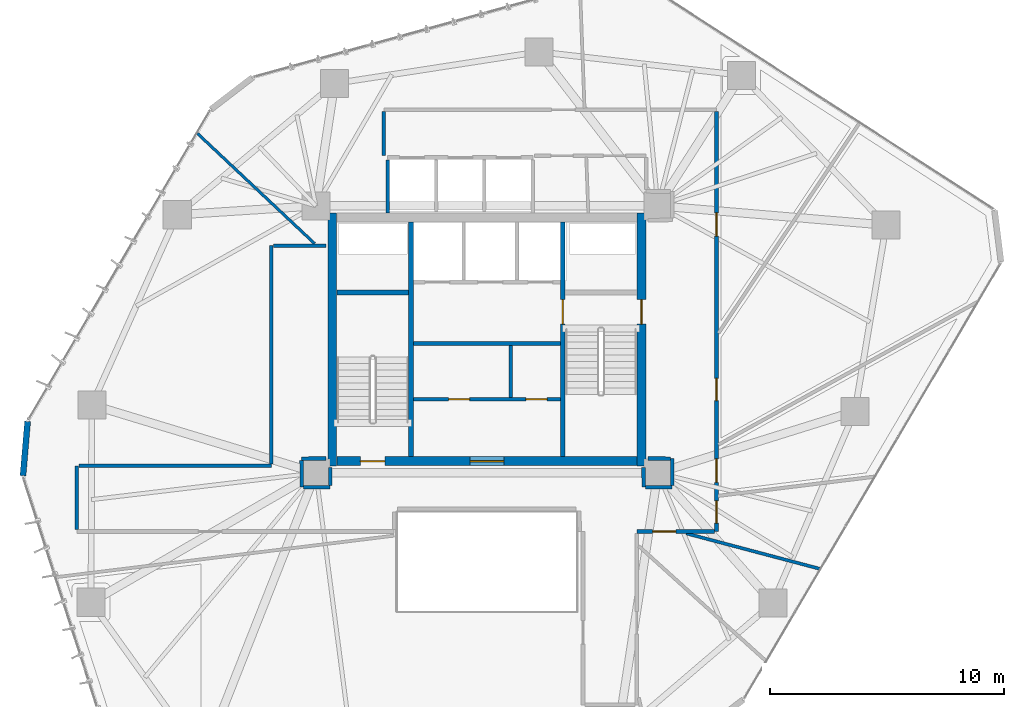
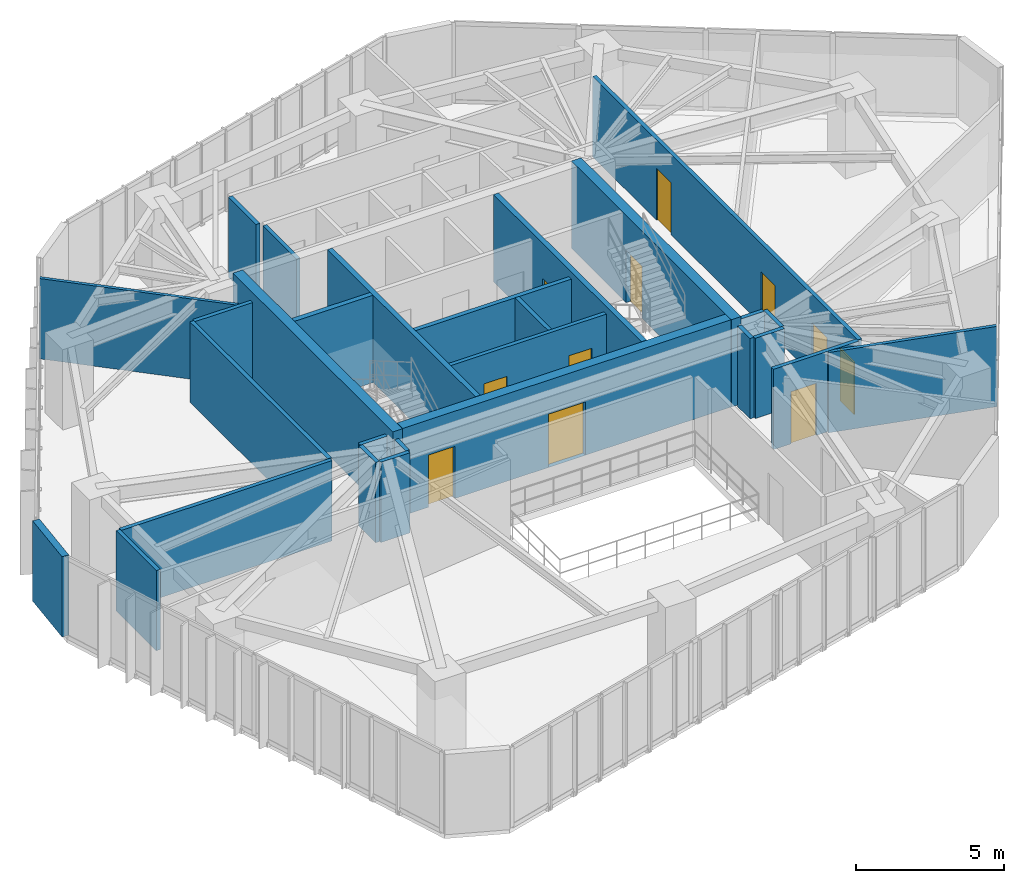
# One storey, part 16 of 20: 28 walls, 11 doors, 11 openings.
"""IFC4 building model written with IfcOpenShell, lengths in metres."""

from ifc_helpers import new_model, si_unit, direction, frame, frame_2d, origin, place, context, subcontext, project, spatial, rectangle, extrude, source, transform, mapped, material, layer, layer_set, type_object, type_shapes, element, fill, save


model = new_model("IFC4")

# Units and contexts
model_context = context("Model", 3, precision=1e-05, world=origin(), true_north=direction((0.0, 1.0)))
body_context = subcontext(model_context, "Body", "Model", "MODEL_VIEW")
ifc_project = project(units=[si_unit("LENGTHUNIT", "METRE"), si_unit("AREAUNIT", "SQUARE_METRE"), si_unit("VOLUMEUNIT", "CUBIC_METRE"), si_unit("PLANEANGLEUNIT", "RADIAN"), si_unit("MASSUNIT", "GRAM", prefix="KILO")], contexts=[model_context])

# Site, building, storey
site_placement = place(None, origin())
site = spatial("IfcSite", under=ifc_project, at=site_placement, CompositionType="ELEMENT")
building_placement = place(site_placement, origin())
building = spatial("IfcBuilding", under=site, at=building_placement, Name="Talar Marvaseh", CompositionType="ELEMENT")
storey_placement = place(building_placement, frame((0.0, 0.0, 136.199951171875)))
storey = spatial("IfcBuildingStorey", under=building, at=storey_placement, Name="L35", CompositionType="ELEMENT", Elevation=136.199951171875)

# Wall
ifc_material_1 = material(Name="Precast concrete C45/55", Category="concrete")
ifc_layer_1 = layer(ifc_material_1, 0.2548828125)
ifc_layer_set_1 = layer_set([ifc_layer_1], Name="Precast concrete C45/55")
wall_type_1 = type_object("IfcWallType", Name="Chamfered Hexagonal Corner Pier Wall Z2 255", PredefinedType="SOLIDWALL", material=ifc_layer_set_1)
wall_1_placement = place(storey_placement, frame((6.19677734375, 25.370849609375, 0.0), z_axis=(0.0, 0.0, 1.0), x_axis=(0.085004725916, 0.99638054807, 0.0)))
element("IfcWall", 1, at=wall_1_placement, inside=storey, type_object=wall_type_1, Name="L35 Chamfered Corner Limestone Pier 2", PredefinedType="SOLIDWALL", context=body_context, shape_type="SweptSolid", body=[
    extrude(rectangle(XDim=2.3408203125, YDim=0.2548828125, at=frame_2d((1.17041015625, 0.0))), origin(), (0.0, 0.0, 1.0), 3.31005859375),
])

# Wall, openings, doors
ifc_material_2 = material(Name="Gypsum Board Partition Assembly")
ifc_layer_2 = layer(ifc_material_2, 0.155029296875)
ifc_layer_set_2 = layer_set([ifc_layer_2], Name="Gypsum Board Partition Assembly")
wall_type_2 = type_object("IfcWallType", Name="Corridor Fire-Rated Acoustic Partition 155", PredefinedType="PARTITIONING", material=ifc_layer_set_2)
wall_2_placement = place(storey_placement, frame((22.865966796875, 28.639892578125, 0.0), z_axis=(0.0, 0.0, 1.0), x_axis=(1.0, 0.0, 0.0)))
wall_2 = element("IfcWall", 2, at=wall_2_placement, inside=storey, type_object=wall_type_2, Name="L35 Core BOH Partition", PredefinedType="PARTITIONING", context=body_context, shape_type="SweptSolid", body=[
    extrude(rectangle(XDim=6.26806640625, YDim=0.155029296875, at=frame_2d((3.134033203125, 0.0))), origin(), (0.0, 0.0, 1.0), 3.31005859375),
])
opening_1_placement = place(wall_2_placement, frame((1.5, 0.0, 0.0)))
opening_1 = element("IfcOpeningElement", 3, at=opening_1_placement, cuts=wall_2, Name="Opening DR-BOH090", PredefinedType="OPENING", context=body_context, shape_type="SweptSolid", body=[
    extrude(rectangle(XDim=0.89990234375, YDim=2.10009765625, at=frame_2d((0.449951171875, 1.050048828125))), frame((0.0, 0.08740234375, 0.0), z_axis=(0.0, -1.0, 0.0), x_axis=(1.0, 0.0, 0.0)), (0.0, 0.0, 1.0), 0.175048828125),
])
opening_2_placement = place(wall_2_placement, frame((4.800048828125, 0.0, 0.0)))
opening_2 = element("IfcOpeningElement", 4, at=opening_2_placement, cuts=wall_2, Name="Opening DR-BOH090", PredefinedType="OPENING", context=body_context, shape_type="SweptSolid", body=[
    extrude(rectangle(XDim=0.89990234375, YDim=2.10009765625, at=frame_2d((0.449951171875, 1.050048828125))), frame((0.0, 0.08740234375, 0.0), z_axis=(0.0, -1.0, 0.0), x_axis=(1.0, 0.0, 0.0)), (0.0, 0.0, 1.0), 0.175048828125),
])
ifc_material_3 = material(Name="Fire-Rated Steel Door Leaf", Category="steel")
door_type_1 = type_object("IfcDoorType", Name="Core Back-of-House Service Door 900x2100", OperationType="NOTDEFINED", PredefinedType="DOOR", material=ifc_material_3)
shared_shape_1 = source(origin(), body_context, "Body", "SweptSolid", [
    extrude(rectangle(XDim=0.89990234375, YDim=2.10009765625, at=frame_2d((0.449951171875, 1.050048828125))), frame((0.0, 0.02490234375, 0.0), z_axis=(0.0, -1.0, 0.0), x_axis=(1.0, 0.0, 0.0)), (0.0, 0.0, 1.0), 0.050048828125),
])
type_shapes(door_type_1, [shared_shape_1])
door_1_placement = place(opening_1_placement, origin())
door_1 = element("IfcDoor", 5, at=door_1_placement, inside=storey, type_object=door_type_1, Name="L35 Plant Core Comms Switch Room Door", OperationType="SINGLE_SWING_LEFT", OverallHeight=2.10009765625, OverallWidth=0.89990234375, PredefinedType="DOOR", context=body_context, shape_type="MappedRepresentation", body=[
    mapped(shared_shape_1, transform((0.0, 0.0, 0.0), x_axis=(1.0, 0.0, 0.0), y_axis=(0.0, 1.0, 0.0), z_axis=(0.0, 0.0, 1.0), scale=1.0)),
])
fill(opening_1, door_1)
door_2_placement = place(opening_2_placement, origin())
door_2 = element("IfcDoor", 6, at=door_2_placement, inside=storey, type_object=door_type_1, Name="L35 Cleaner Cupboard Door", OperationType="SINGLE_SWING_RIGHT", OverallHeight=2.10009765625, OverallWidth=0.89990234375, PredefinedType="DOOR", context=body_context, shape_type="MappedRepresentation", body=[
    mapped(shared_shape_1, transform((0.0, 0.0, 0.0), x_axis=(1.0, 0.0, 0.0), y_axis=(0.0, 1.0, 0.0), z_axis=(0.0, 0.0, 1.0), scale=1.0)),
])
fill(opening_2, door_2)

# Wall
wall_3_placement = place(storey_placement, frame((27.02001953125, 28.719970703125, 0.0), z_axis=(0.0, 0.0, 1.0), x_axis=(0.0, 1.0, 0.0)))
element("IfcWall", 7, at=wall_3_placement, inside=storey, type_object=wall_type_2, Name="L35 Core BOH Partition", PredefinedType="PARTITIONING", context=body_context, shape_type="SweptSolid", body=[
    extrude(rectangle(XDim=2.219970703125, YDim=0.155029296875, at=frame_2d((1.10986328125, 0.0))), origin(), (0.0, 0.0, 1.0), 3.31005859375),
])

# Wall, openings, doors
wall_4_placement = place(storey_placement, frame((35.800048828125, 40.91650390625, 0.0), z_axis=(0.0, 0.0, 1.0), x_axis=(0.0, -1.0, 0.0)))
wall_4 = element("IfcWall", 8, at=wall_4_placement, inside=storey, type_object=wall_type_2, Name="L35 Interior Partition Wall", PredefinedType="PARTITIONING", context=body_context, shape_type="SweptSolid", body=[
    extrude(rectangle(XDim=17.91650390625, YDim=0.155029296875, at=frame_2d((8.958251953125, 0.0))), origin(), (0.0, 0.0, 1.0), 3.31005859375),
])
opening_3_placement = place(wall_4_placement, frame((16.614013671875, 0.0, 0.0)))
opening_3 = element("IfcOpeningElement", 9, at=opening_3_placement, cuts=wall_4, Name="Opening DR-WC095", PredefinedType="OPENING", context=body_context, shape_type="SweptSolid", body=[
    extrude(rectangle(XDim=0.949951171875, YDim=2.14990234375, at=frame_2d((0.47509765625, 1.074951171875))), frame((0.0, 0.08740234375, 0.0), z_axis=(0.0, -1.0, 0.0), x_axis=(1.0, 0.0, 0.0)), (0.0, 0.0, 1.0), 0.175048828125),
])
opening_4_placement = place(wall_4_placement, frame((14.822021484375, 0.0, 0.0)))
opening_4 = element("IfcOpeningElement", 10, at=opening_4_placement, cuts=wall_4, Name="Opening DR-RM100", PredefinedType="OPENING", context=body_context, shape_type="SweptSolid", body=[
    extrude(rectangle(XDim=1.0, YDim=2.14990234375, at=frame_2d((0.5, 1.074951171875))), frame((0.0, 0.08740234375, 0.0), z_axis=(0.0, -1.0, 0.0), x_axis=(1.0, 0.0, 0.0)), (0.0, 0.0, 1.0), 0.175048828125),
])
opening_5_placement = place(wall_4_placement, frame((11.385986328125, 0.0, 0.0)))
opening_5 = element("IfcOpeningElement", 11, at=opening_5_placement, cuts=wall_4, Name="Opening DR-WC095", PredefinedType="OPENING", context=body_context, shape_type="SweptSolid", body=[
    extrude(rectangle(XDim=0.949951171875, YDim=2.14990234375, at=frame_2d((0.47509765625, 1.074951171875))), frame((0.0, 0.08740234375, 0.0), z_axis=(0.0, -1.0, 0.0), x_axis=(1.0, 0.0, 0.0)), (0.0, 0.0, 1.0), 0.175048828125),
])
opening_6_placement = place(wall_4_placement, frame((4.314208984375, 0.0, 0.0)))
opening_6 = element("IfcOpeningElement", 12, at=opening_6_placement, cuts=wall_4, Name="Opening DR-RM100", PredefinedType="OPENING", context=body_context, shape_type="SweptSolid", body=[
    extrude(rectangle(XDim=1.0, YDim=2.14990234375, at=frame_2d((0.5, 1.074951171875))), frame((0.0, 0.08740234375, 0.0), z_axis=(0.0, -1.0, 0.0), x_axis=(1.0, 0.0, 0.0)), (0.0, 0.0, 1.0), 0.175048828125),
])
ifc_material_4 = material(Name="Acoustic Engineered Oak Timber", Category="wood")
door_type_2 = type_object("IfcDoorType", Name="Washroom and Service Room Door 950x2150", OperationType="NOTDEFINED", PredefinedType="DOOR", material=ifc_material_4)
shared_shape_2 = source(origin(), body_context, "Body", "SweptSolid", [
    extrude(rectangle(XDim=0.949951171875, YDim=2.14990234375, at=frame_2d((0.47509765625, 1.074951171875))), frame((0.0, 0.02490234375, 0.0), z_axis=(0.0, -1.0, 0.0), x_axis=(1.0, 0.0, 0.0)), (0.0, 0.0, 1.0), 0.050048828125),
])
type_shapes(door_type_2, [shared_shape_2])
door_3_placement = place(opening_3_placement, origin())
door_3 = element("IfcDoor", 13, at=door_3_placement, inside=storey, type_object=door_type_2, Name="L35 Collection Conservation Store Door", OperationType="SINGLE_SWING_LEFT", OverallHeight=2.14990234375, OverallWidth=0.949951171875, PredefinedType="DOOR", context=body_context, shape_type="MappedRepresentation", body=[
    mapped(shared_shape_2, transform((0.0, 0.0, 0.0), x_axis=(1.0, 0.0, 0.0), y_axis=(0.0, 1.0, 0.0), z_axis=(0.0, 0.0, 1.0), scale=1.0)),
])
fill(opening_3, door_3)
door_4_placement = place(opening_5_placement, origin())
door_4 = element("IfcDoor", 14, at=door_4_placement, inside=storey, type_object=door_type_2, Name="L35 Manuscript Folio Archive Room Door", OperationType="SINGLE_SWING_LEFT", OverallHeight=2.14990234375, OverallWidth=0.949951171875, PredefinedType="DOOR", context=body_context, shape_type="MappedRepresentation", body=[
    mapped(shared_shape_2, transform((0.0, 0.0, 0.0), x_axis=(1.0, 0.0, 0.0), y_axis=(0.0, 1.0, 0.0), z_axis=(0.0, 0.0, 1.0), scale=1.0)),
])
fill(opening_5, door_4)
door_type_3 = type_object("IfcDoorType", Name="Corridor Fire-Rated Gallery Door 1000x2150", OperationType="NOTDEFINED", PredefinedType="DOOR", material=ifc_material_4)
shared_shape_3 = source(origin(), body_context, "Body", "SweptSolid", [
    extrude(rectangle(XDim=1.0, YDim=2.14990234375, at=frame_2d((0.5, 1.074951171875))), frame((0.0, 0.02490234375, 0.0), z_axis=(0.0, -1.0, 0.0), x_axis=(1.0, 0.0, 0.0)), (0.0, 0.0, 1.0), 0.050048828125),
])
type_shapes(door_type_3, [shared_shape_3])
door_5_placement = place(opening_4_placement, origin())
door_5 = element("IfcDoor", 15, at=door_5_placement, inside=storey, type_object=door_type_3, Name="L35 Cultural Fellowship Office Door", OperationType="SINGLE_SWING_RIGHT", OverallHeight=2.14990234375, OverallWidth=1.0, PredefinedType="DOOR", context=body_context, shape_type="MappedRepresentation", body=[
    mapped(shared_shape_3, transform((0.0, 0.0, 0.0), x_axis=(1.0, 0.0, 0.0), y_axis=(0.0, 1.0, 0.0), z_axis=(0.0, 0.0, 1.0), scale=1.0)),
])
fill(opening_4, door_5)
door_6_placement = place(opening_6_placement, origin())
door_6 = element("IfcDoor", 16, at=door_6_placement, inside=storey, type_object=door_type_3, Name="L35 Conservation Laboratory Door", OperationType="SINGLE_SWING_RIGHT", OverallHeight=2.14990234375, OverallWidth=1.0, PredefinedType="DOOR", context=body_context, shape_type="MappedRepresentation", body=[
    mapped(shared_shape_3, transform((0.0, 0.0, 0.0), x_axis=(1.0, 0.0, 0.0), y_axis=(0.0, 1.0, 0.0), z_axis=(0.0, 0.0, 1.0), scale=1.0)),
])
fill(opening_6, door_6)

# Wall, opening, door
wall_5_placement = place(storey_placement, frame((35.716552734375, 23.0, 0.0), z_axis=(0.0, 0.0, 1.0), x_axis=(-1.0, 0.0, 0.0)))
wall_5 = element("IfcWall", 17, at=wall_5_placement, inside=storey, type_object=wall_type_2, Name="L35 Interior Partition Wall", PredefinedType="PARTITIONING", context=body_context, shape_type="SweptSolid", body=[
    extrude(rectangle(XDim=3.316650390625, YDim=0.155029296875, at=frame_2d((1.658203125, 0.0))), origin(), (0.0, 0.0, 1.0), 3.31005859375),
])
opening_7_placement = place(wall_5_placement, frame((1.64697265625, 0.0, 0.0)))
opening_7 = element("IfcOpeningElement", 18, at=opening_7_placement, cuts=wall_5, Name="Opening DR-RM100", PredefinedType="OPENING", context=body_context, shape_type="SweptSolid", body=[
    extrude(rectangle(XDim=1.0, YDim=2.14990234375, at=frame_2d((0.5, 1.074951171875))), frame((0.0, 0.08740234375, 0.0), z_axis=(0.0, -1.0, 0.0), x_axis=(1.0, 0.0, 0.0)), (0.0, 0.0, 1.0), 0.175048828125),
])
door_7_placement = place(opening_7_placement, origin())
door_7 = element("IfcDoor", 19, at=door_7_placement, inside=storey, type_object=door_type_3, Name="L35 Archival Research Office Door", OperationType="SINGLE_SWING_RIGHT", OverallHeight=2.14990234375, OverallWidth=1.0, PredefinedType="DOOR", context=body_context, shape_type="MappedRepresentation", body=[
    mapped(shared_shape_3, transform((0.0, 0.0, 0.0), x_axis=(1.0, 0.0, 0.0), y_axis=(0.0, 1.0, 0.0), z_axis=(0.0, 0.0, 1.0), scale=1.0)),
])
fill(opening_7, door_7)

# Walls
wall_6_placement = place(storey_placement, frame((8.5, 23.08349609375, 0.0), z_axis=(0.0, 0.0, 1.0), x_axis=(0.0, 1.0, 0.0)))
element("IfcWall", 20, at=wall_6_placement, inside=storey, type_object=wall_type_2, Name="L35 Interior Partition Wall", PredefinedType="PARTITIONING", context=body_context, shape_type="SweptSolid", body=[
    extrude(rectangle(XDim=2.716552734375, YDim=0.155029296875, at=frame_2d((1.3583984375, 0.0))), origin(), (0.0, 0.0, 1.0), 3.31005859375),
])
wall_7_placement = place(storey_placement, frame((8.58349609375, 25.800048828125, 0.0), z_axis=(0.0, 0.0, 1.0), x_axis=(1.0, 0.0, 0.0)))
element("IfcWall", 21, at=wall_7_placement, inside=storey, type_object=wall_type_2, Name="L35 Interior Partition Wall", PredefinedType="PARTITIONING", context=body_context, shape_type="SweptSolid", body=[
    extrude(rectangle(XDim=8.216552734375, YDim=0.155029296875, at=frame_2d((4.1083984375, 0.0))), origin(), (0.0, 0.0, 1.0), 3.31005859375),
])
wall_8_placement = place(storey_placement, frame((16.800048828125, 25.883544921875, 0.0), z_axis=(0.0, 0.0, 1.0), x_axis=(0.0, 1.0, 0.0)))
element("IfcWall", 22, at=wall_8_placement, inside=storey, type_object=wall_type_2, Name="L35 Interior Partition Wall", PredefinedType="PARTITIONING", context=body_context, shape_type="SweptSolid", body=[
    extrude(rectangle(XDim=9.31640625, YDim=0.155029296875, at=frame_2d((4.658203125, 0.0))), origin(), (0.0, 0.0, 1.0), 3.31005859375),
])
wall_9_placement = place(storey_placement, frame((16.883544921875, 35.199951171875, 0.0), z_axis=(0.0, 0.0, 1.0), x_axis=(1.0, 0.0, 0.0)))
element("IfcWall", 23, at=wall_9_placement, inside=storey, type_object=wall_type_2, Name="L35 Interior Partition Wall", PredefinedType="PARTITIONING", context=body_context, shape_type="SweptSolid", body=[
    extrude(rectangle(XDim=2.246337890625, YDim=0.155029296875, at=frame_2d((1.123046875, 0.0))), origin(), (0.0, 0.0, 1.0), 3.31005859375),
])
wall_10_placement = place(storey_placement, frame((19.1298828125, 26.114990234375, 0.0), z_axis=(0.0, 0.0, 1.0), x_axis=(-0.999986702653, -0.005156987215, 0.0)))
element("IfcWall", 24, at=wall_10_placement, inside=storey, type_object=wall_type_2, Name="L35 Interior Partition Wall", PredefinedType="PARTITIONING", context=body_context, shape_type="SweptSolid", body=[
    extrude(rectangle(XDim=1.04150390625, YDim=0.155029296875, at=frame_2d((0.520751953125, 0.0))), origin(), (0.0, 0.0, 1.0), 3.31005859375),
])
wall_11_placement = place(storey_placement, frame((18.088623046875, 26.02587890625, 0.0), z_axis=(0.0, 0.0, 1.0), x_axis=(0.002787893948, -0.999996113816, 0.0)))
element("IfcWall", 25, at=wall_11_placement, inside=storey, type_object=wall_type_2, Name="L35 Interior Partition Wall", PredefinedType="PARTITIONING", context=body_context, shape_type="SweptSolid", body=[
    extrude(rectangle(XDim=1.138427734375, YDim=0.155029296875, at=frame_2d((0.5693359375, 0.0))), origin(), (0.0, 0.0, 1.0), 3.31005859375),
])
wall_12_placement = place(storey_placement, frame((18.17529296875, 24.8876953125, 0.0), z_axis=(0.0, 0.0, 1.0), x_axis=(0.999999791525, 0.000645716611, 0.0)))
element("IfcWall", 26, at=wall_12_placement, inside=storey, type_object=wall_type_2, Name="L35 Interior Partition Wall", PredefinedType="PARTITIONING", context=body_context, shape_type="SweptSolid", body=[
    extrude(rectangle(XDim=1.13427734375, YDim=0.155029296875, at=frame_2d((0.567138671875, 0.0))), origin(), (0.0, 0.0, 1.0), 3.31005859375),
])
wall_13_placement = place(storey_placement, frame((19.31005859375, 24.971923828125, 0.0), z_axis=(0.0, 0.0, 1.0), x_axis=(0.006441090216, 0.999979255963, 0.0)))
element("IfcWall", 27, at=wall_13_placement, inside=storey, type_object=wall_type_2, Name="L35 Interior Partition Wall", PredefinedType="PARTITIONING", context=body_context, shape_type="SweptSolid", body=[
    extrude(rectangle(XDim=0.758056640625, YDim=0.155029296875, at=frame_2d((0.37890625, 0.0))), origin(), (0.0, 0.0, 1.0), 3.31005859375),
])
wall_14_placement = place(storey_placement, frame((32.68505859375, 25.72998046875, 0.0), z_axis=(0.0, 0.0, 1.0), x_axis=(0.006382231486, -0.999979633353, 0.0)))
element("IfcWall", 28, at=wall_14_placement, inside=storey, type_object=wall_type_2, Name="L35 Interior Partition Wall", PredefinedType="PARTITIONING", context=body_context, shape_type="SweptSolid", body=[
    extrude(rectangle(XDim=0.841552734375, YDim=0.155029296875, at=frame_2d((0.4208984375, 0.0))), origin(), (0.0, 0.0, 1.0), 3.31005859375),
])
wall_15_placement = place(storey_placement, frame((32.77392578125, 24.88818359375, 0.0), z_axis=(0.0, 0.0, 1.0), x_axis=(0.999999164303, -0.001292823742, 0.0)))
element("IfcWall", 29, at=wall_15_placement, inside=storey, type_object=wall_type_2, Name="L35 Interior Partition Wall", PredefinedType="PARTITIONING", context=body_context, shape_type="SweptSolid", body=[
    extrude(rectangle(XDim=1.133056640625, YDim=0.155029296875, at=frame_2d((0.56640625, 0.0))), origin(), (0.0, 0.0, 1.0), 3.31005859375),
])
wall_16_placement = place(storey_placement, frame((33.907470703125, 24.97021484375, 0.0), z_axis=(0.0, 0.0, 1.0), x_axis=(0.003642572792, 0.99999336581, 0.0)))
element("IfcWall", 30, at=wall_16_placement, inside=storey, type_object=wall_type_2, Name="L35 Interior Partition Wall", PredefinedType="PARTITIONING", context=body_context, shape_type="SweptSolid", body=[
    extrude(rectangle(XDim=1.139404296875, YDim=0.155029296875, at=frame_2d((0.56982421875, 0.0))), origin(), (0.0, 0.0, 1.0), 3.31005859375),
])
wall_17_placement = place(storey_placement, frame((33.828125, 26.110107421875, 0.0), z_axis=(0.0, 0.0, 1.0), x_axis=(-0.999987011364, 0.005096773758, 0.0)))
element("IfcWall", 31, at=wall_17_placement, inside=storey, type_object=wall_type_2, Name="L35 Interior Partition Wall", PredefinedType="PARTITIONING", context=body_context, shape_type="SweptSolid", body=[
    extrude(rectangle(XDim=0.9580078125, YDim=0.155029296875, at=frame_2d((0.47900390625, 0.0))), origin(), (0.0, 0.0, 1.0), 3.31005859375),
])
wall_18_placement = place(storey_placement, frame((21.60009765625, 39.0400390625, 0.0), z_axis=(0.0, 0.0, 1.0), x_axis=(0.0, 1.0, 0.0)))
element("IfcWall", 32, at=wall_18_placement, inside=storey, type_object=wall_type_2, Name="L35 Interior Partition Wall", PredefinedType="PARTITIONING", context=body_context, shape_type="SweptSolid", body=[
    extrude(rectangle(XDim=1.87646484375, YDim=0.155029296875, at=frame_2d((0.938232421875, 0.0))), origin(), (0.0, 0.0, 1.0), 3.31005859375),
])
ifc_layer_3 = layer(ifc_material_2, 0.1201171875)
ifc_layer_set_3 = layer_set([ifc_layer_3], Name="Gypsum Board Partition Assembly")
wall_type_3 = type_object("IfcWallType", Name="Demountable Studio Room Partition 120", PredefinedType="PARTITIONING", material=ifc_layer_set_3)
wall_19_placement = place(storey_placement, frame((18.651123046875, 35.283447265625, 0.0), z_axis=(0.0, 0.0, 1.0), x_axis=(-0.728749857539, 0.684779997617, 0.0)))
element("IfcWall", 33, at=wall_19_placement, inside=storey, type_object=wall_type_3, Name="L35 Interior Partition Wall", PredefinedType="PARTITIONING", context=body_context, shape_type="SweptSolid", body=[
    extrude(rectangle(XDim=6.87939453125, YDim=0.1201171875, at=frame_2d((3.439697265625, 0.0))), origin(), (0.0, 0.0, 1.0), 3.31005859375),
])
ifc_layer_4 = layer(ifc_material_1, 0.14501953125)
ifc_layer_set_4 = layer_set([ifc_layer_4], Name="Precast concrete C45/55")
wall_type_4 = type_object("IfcWallType", Name="Fire-Rated Lift Divider Wall 145", PredefinedType="SOLIDWALL", material=ifc_layer_set_4)
wall_20_placement = place(storey_placement, frame((21.760009765625, 36.60009765625, 0.0), z_axis=(0.0, 0.0, 1.0), x_axis=(0.0, 1.0, 0.0)))
element("IfcWall", 34, at=wall_20_placement, inside=storey, type_object=wall_type_4, Name="L35 Low-Rise Bank West Wall", PredefinedType="SOLIDWALL", context=body_context, shape_type="SweptSolid", body=[
    extrude(rectangle(XDim=2.266357421875, YDim=0.14501953125, at=frame_2d((1.13330078125, 0.0))), origin(), (0.0, 0.0, 1.0), 3.31005859375),
])
ifc_layer_5 = layer(ifc_material_1, 0.175048828125)
ifc_layer_set_5 = layer_set([ifc_layer_5], Name="Precast concrete C45/55")
wall_type_5 = type_object("IfcWallType", Name="Fire-Rated Lift Hoistway Enclosure Wall 175", PredefinedType="SOLIDWALL", material=ifc_layer_set_5)
wall_21_placement = place(storey_placement, frame((22.860107421875, 31.02001953125, 0.0), z_axis=(0.0, 0.0, 1.0), x_axis=(1.0, 0.0, 0.0)))
element("IfcWall", 35, at=wall_21_placement, inside=storey, type_object=wall_type_5, Name="L35 Firefighting Lobby South Smoke Wall", PredefinedType="SOLIDWALL", context=body_context, shape_type="SweptSolid", body=[
    extrude(rectangle(XDim=6.27978515625, YDim=0.175048828125, at=frame_2d((3.139892578125, 0.0))), origin(), (0.0, 0.0, 1.0), 3.31005859375),
])
ifc_layer_6 = layer(ifc_material_2, 0.135009765625)
ifc_layer_set_6 = layer_set([ifc_layer_6], Name="Gypsum Board Partition Assembly")
wall_type_6 = type_object("IfcWallType", Name="Gallery High-Acoustic Partition 135", PredefinedType="PARTITIONING", material=ifc_layer_set_6)
wall_22_placement = place(storey_placement, frame((34.50537109375, 22.91650390625, 0.0), z_axis=(0.0, 0.0, 1.0), x_axis=(0.966638443687, -0.256144723128, 0.0)))
element("IfcWall", 36, at=wall_22_placement, inside=storey, type_object=wall_type_6, Name="L35 Interior Partition Wall", PredefinedType="PARTITIONING", context=body_context, shape_type="SweptSolid", body=[
    extrude(rectangle(XDim=5.907470703125, YDim=0.135009765625, at=frame_2d((2.95361328125, 0.0))), origin(), (0.0, 0.0, 1.0), 3.31005859375),
])
ifc_material_5 = material(Name="Concrete C60/75", Category="concrete")
ifc_layer_7 = layer(ifc_material_5, 0.3798828125)
ifc_layer_set_7 = layer_set([ifc_layer_7], Name="Concrete C60/75")
wall_type_7 = type_object("IfcWallType", Name="Mid Core Reinforced Concrete Shear Wall 380", PredefinedType="SHEAR", material=ifc_layer_set_7)
wall_23_placement = place(storey_placement, frame((19.39990234375, 25.800048828125, 0.0), z_axis=(0.0, 0.0, 1.0), x_axis=(0.0, 1.0, 0.0)))
element("IfcWall", 37, at=wall_23_placement, inside=storey, type_object=wall_type_7, Name="L35 West Core Shear Wall", PredefinedType="SHEAR", context=body_context, shape_type="SweptSolid", body=[
    extrude(rectangle(XDim=10.800048828125, YDim=0.3798828125, at=frame_2d((5.39990234375, 0.0))), origin(), (0.0, 0.0, 1.0), 3.60009765625),
])

# Wall, opening, door
wall_24_placement = place(storey_placement, frame((32.60009765625, 36.60009765625, 0.0), z_axis=(0.0, 0.0, 1.0), x_axis=(0.0, -1.0, 0.0)))
wall_24 = element("IfcWall", 38, at=wall_24_placement, inside=storey, type_object=wall_type_7, Name="L35 East Core Shear Wall", PredefinedType="SHEAR", context=body_context, shape_type="SweptSolid", body=[
    extrude(rectangle(XDim=10.800048828125, YDim=0.3798828125, at=frame_2d((5.39990234375, 0.0))), origin(), (0.0, 0.0, 1.0), 3.60009765625),
])
opening_8_placement = place(wall_24_placement, frame((3.699951171875, 0.0, 0.0)))
opening_8 = element("IfcOpeningElement", 39, at=opening_8_placement, cuts=wall_24, Name="Opening DR-ST105", PredefinedType="OPENING", context=body_context, shape_type="SweptSolid", body=[
    extrude(rectangle(XDim=1.050048828125, YDim=2.14990234375, at=frame_2d((0.52490234375, 1.074951171875))), frame((0.0, 0.199951171875, 0.0), z_axis=(0.0, -1.0, 0.0), x_axis=(1.0, 0.0, 0.0)), (0.0, 0.0, 1.0), 0.39990234375),
])
door_type_4 = type_object("IfcDoorType", Name="Protected Exit Stair Fire Door 1050x2150", OperationType="NOTDEFINED", PredefinedType="DOOR", material=ifc_material_3)
shared_shape_4 = source(origin(), body_context, "Body", "SweptSolid", [
    extrude(rectangle(XDim=1.050048828125, YDim=2.14990234375, at=frame_2d((0.52490234375, 1.074951171875))), frame((0.0, 0.02490234375, 0.0), z_axis=(0.0, -1.0, 0.0), x_axis=(1.0, 0.0, 0.0)), (0.0, 0.0, 1.0), 0.050048828125),
])
type_shapes(door_type_4, [shared_shape_4])
door_8_placement = place(opening_8_placement, origin())
door_8 = element("IfcDoor", 40, at=door_8_placement, inside=storey, type_object=door_type_4, Name="L35 Stair ST-2 Corridor Exit Door", OperationType="SINGLE_SWING_LEFT", OverallHeight=2.14990234375, OverallWidth=1.050048828125, PredefinedType="DOOR", context=body_context, shape_type="MappedRepresentation", body=[
    mapped(shared_shape_4, transform((0.0, 0.0, 0.0), x_axis=(1.0, 0.0, 0.0), y_axis=(0.0, 1.0, 0.0), z_axis=(0.0, 0.0, 1.0), scale=1.0)),
])
fill(opening_8, door_8)

# Wall, openings, doors
wall_25_placement = place(storey_placement, frame((32.39990234375, 26.0, 0.0), z_axis=(0.0, 0.0, 1.0), x_axis=(-1.0, 0.0, 0.0)))
wall_25 = element("IfcWall", 41, at=wall_25_placement, inside=storey, type_object=wall_type_7, Name="L35 South Core Shear Wall", PredefinedType="SHEAR", context=body_context, shape_type="SweptSolid", body=[
    extrude(rectangle(XDim=12.7998046875, YDim=0.3798828125, at=frame_2d((6.39990234375, 0.0))), origin(), (0.0, 0.0, 1.0), 3.60009765625),
])
opening_9_placement = place(wall_25_placement, frame((10.75, 0.0, 0.0)))
opening_9 = element("IfcOpeningElement", 42, at=opening_9_placement, cuts=wall_25, Name="Opening DR-ST105", PredefinedType="OPENING", context=body_context, shape_type="SweptSolid", body=[
    extrude(rectangle(XDim=1.050048828125, YDim=2.14990234375, at=frame_2d((0.52490234375, 1.074951171875))), frame((0.0, 0.199951171875, 0.0), z_axis=(0.0, -1.0, 0.0), x_axis=(1.0, 0.0, 0.0)), (0.0, 0.0, 1.0), 0.39990234375),
])
opening_10_placement = place(wall_25_placement, frame((5.669921875, 0.0, 0.0)))
opening_10 = element("IfcOpeningElement", 43, at=opening_10_placement, cuts=wall_25, Name="Opening DR-LBY145", PredefinedType="OPENING", context=body_context, shape_type="SweptSolid", body=[
    extrude(rectangle(XDim=1.449951171875, YDim=2.199951171875, at=frame_2d((0.72509765625, 1.10009765625))), frame((0.0, 0.199951171875, 0.0), z_axis=(0.0, -1.0, 0.0), x_axis=(1.0, 0.0, 0.0)), (0.0, 0.0, 1.0), 0.39990234375),
])
door_9_placement = place(opening_9_placement, origin())
door_9 = element("IfcDoor", 44, at=door_9_placement, inside=storey, type_object=door_type_4, Name="L35 Stair ST-1 Exit Door", OperationType="SINGLE_SWING_RIGHT", OverallHeight=2.14990234375, OverallWidth=1.050048828125, PredefinedType="DOOR", context=body_context, shape_type="MappedRepresentation", body=[
    mapped(shared_shape_4, transform((0.0, 0.0, 0.0), x_axis=(1.0, 0.0, 0.0), y_axis=(0.0, 1.0, 0.0), z_axis=(0.0, 0.0, 1.0), scale=1.0)),
])
fill(opening_9, door_9)
door_type_5 = type_object("IfcDoorType", Name="Core Lift Lobby Double Smoke Door 1450x2200", OperationType="NOTDEFINED", PredefinedType="DOOR", material=ifc_material_3)
shared_shape_5 = source(origin(), body_context, "Body", "SweptSolid", [
    extrude(rectangle(XDim=1.449951171875, YDim=2.199951171875, at=frame_2d((0.72509765625, 1.10009765625))), frame((0.0, 0.02490234375, 0.0), z_axis=(0.0, -1.0, 0.0), x_axis=(1.0, 0.0, 0.0)), (0.0, 0.0, 1.0), 0.050048828125),
])
type_shapes(door_type_5, [shared_shape_5])
door_10_placement = place(opening_10_placement, origin())
door_10 = element("IfcDoor", 45, at=door_10_placement, inside=storey, type_object=door_type_5, Name="L35 Passenger Lift Lobby Entrance Door", OperationType="DOUBLE_DOOR_SINGLE_SWING", OverallHeight=2.199951171875, OverallWidth=1.449951171875, PredefinedType="DOOR", context=body_context, shape_type="MappedRepresentation", body=[
    mapped(shared_shape_5, transform((0.0, 0.0, 0.0), x_axis=(1.0, 0.0, 0.0), y_axis=(0.0, 1.0, 0.0), z_axis=(0.0, 0.0, 1.0), scale=1.0)),
])
fill(opening_10, door_10)

# Wall
ifc_material_6 = material(Name="Concrete C50/60", Category="concrete")
ifc_layer_8 = layer(ifc_material_6, 0.199951171875)
ifc_layer_set_8 = layer_set([ifc_layer_8], Name="Concrete C50/60")
wall_type_8 = type_object("IfcWallType", Name="Stair Shaft Structural Concrete Shear Wall 200", PredefinedType="SHEAR", material=ifc_layer_set_8)
wall_26_placement = place(storey_placement, frame((22.760009765625, 26.199951171875, 0.0), z_axis=(0.0, 0.0, 1.0), x_axis=(0.0, 1.0, 0.0)))
element("IfcWall", 46, at=wall_26_placement, inside=storey, type_object=wall_type_8, Name="L35 Core West Stair Shear Wall", PredefinedType="SHEAR", context=body_context, shape_type="SweptSolid", body=[
    extrude(rectangle(XDim=10.0, YDim=0.199951171875, at=frame_2d((5.0, 0.0))), origin(), (0.0, 0.0, 1.0), 3.60009765625),
])

# Wall, opening, door
wall_27_placement = place(storey_placement, frame((29.239990234375, 26.199951171875, 0.0), z_axis=(0.0, 0.0, 1.0), x_axis=(0.0, 1.0, 0.0)))
wall_27 = element("IfcWall", 47, at=wall_27_placement, inside=storey, type_object=wall_type_8, Name="L35 Core East Stair Shear Wall", PredefinedType="SHEAR", context=body_context, shape_type="SweptSolid", body=[
    extrude(rectangle(XDim=10.0, YDim=0.199951171875, at=frame_2d((5.0, 0.0))), origin(), (0.0, 0.0, 1.0), 3.60009765625),
])
opening_11_placement = place(wall_27_placement, frame((5.64990234375, 0.0, 0.0)))
opening_11 = element("IfcOpeningElement", 48, at=opening_11_placement, cuts=wall_27, Name="Opening DR-ST105", PredefinedType="OPENING", context=body_context, shape_type="SweptSolid", body=[
    extrude(rectangle(XDim=1.050048828125, YDim=2.14990234375, at=frame_2d((0.52490234375, 1.074951171875))), frame((0.0, 0.10986328125, 0.0), z_axis=(0.0, -1.0, 0.0), x_axis=(1.0, 0.0, 0.0)), (0.0, 0.0, 1.0), 0.219970703125),
])
door_11_placement = place(opening_11_placement, origin())
door_11 = element("IfcDoor", 49, at=door_11_placement, inside=storey, type_object=door_type_4, Name="L35 Firefighting Lobby to Stair ST-2 Door", OperationType="SINGLE_SWING_LEFT", OverallHeight=2.14990234375, OverallWidth=1.050048828125, PredefinedType="DOOR", context=body_context, shape_type="MappedRepresentation", body=[
    mapped(shared_shape_4, transform((0.0, 0.0, 0.0), x_axis=(1.0, 0.0, 0.0), y_axis=(0.0, 1.0, 0.0), z_axis=(0.0, 0.0, 1.0), scale=1.0)),
])
fill(opening_11, door_11)

# Wall
wall_28_placement = place(storey_placement, frame((19.60009765625, 33.199951171875, 0.0), z_axis=(0.0, 0.0, 1.0), x_axis=(1.0, 0.0, 0.0)))
element("IfcWall", 50, at=wall_28_placement, inside=storey, type_object=wall_type_8, Name="L35 Stair ST-1 North Shear Wall", PredefinedType="SHEAR", context=body_context, shape_type="SweptSolid", body=[
    extrude(rectangle(XDim=3.059814453125, YDim=0.199951171875, at=frame_2d((1.52978515625, 0.0))), origin(), (0.0, 0.0, 1.0), 3.60009765625),
])

save(model, "model.ifc")
